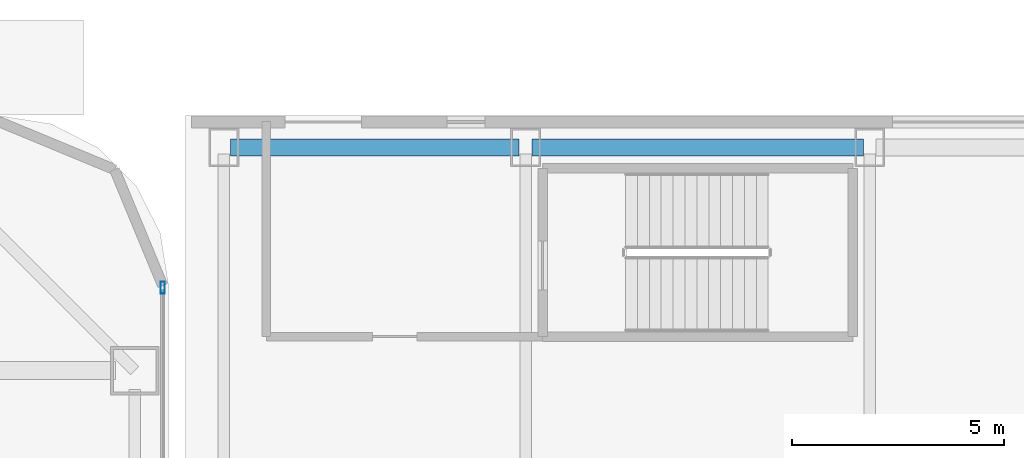
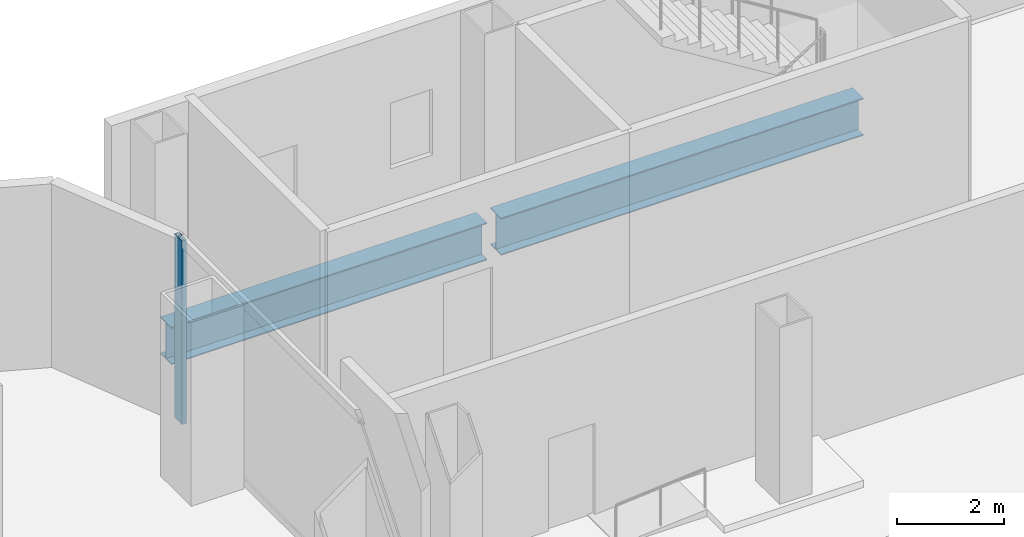
# One storey, part 15 of 31: 2 beams, 1 member, 1 element without a shape of its own.
"""IFC4 building model written with IfcOpenShell, lengths in metres."""

from ifc_helpers import new_model, si_unit, direction, frame, origin, origin_2d, place, context, subcontext, project, spatial, hollow_rectangle, i_section, extrude, source, transform, mapped, material, layer, layer_set, material_profile, profile_set, type_object, element, aggregate, save


model = new_model("IFC4")

# Units and contexts
model_context = context("Model", 3, precision=1e-05, world=origin(), true_north=direction((0.0, 1.0)))
body_context = subcontext(model_context, "Body", "Model", "MODEL_VIEW")
ifc_project = project(units=[si_unit("LENGTHUNIT", "METRE"), si_unit("AREAUNIT", "SQUARE_METRE"), si_unit("VOLUMEUNIT", "CUBIC_METRE"), si_unit("PLANEANGLEUNIT", "RADIAN"), si_unit("MASSUNIT", "GRAM", prefix="KILO")], contexts=[model_context])

# Site, building, storey
site_placement = place(None, origin())
site = spatial("IfcSite", under=ifc_project, at=site_placement, CompositionType="ELEMENT")
building_placement = place(site_placement, origin())
building = spatial("IfcBuilding", under=site, at=building_placement, Name="Kolveth Station Tower", CompositionType="ELEMENT")
storey_placement = place(building_placement, origin())
storey = spatial("IfcBuildingStorey", under=building, at=storey_placement, Name="L00", CompositionType="ELEMENT", Elevation=0.0)

# Beams
ifc_material_1 = material(Name="Steel S355", Category="steel")
ifc_material_profile_1 = material_profile(ifc_material_1, i_section(OverallWidth=0.40087890625, OverallDepth=0.85107421875, WebThickness=0.01611328125, FlangeThickness=0.025390625, at=origin_2d()), Name="W840x226")
ifc_profile_set_1 = profile_set([ifc_material_profile_1], Name="Steel S355")
beam_type = type_object("IfcBeamType", Name="Beam_B2", PredefinedType="BEAM", material=ifc_profile_set_1)
shared_shape_1 = source(origin(), body_context, "Body", "SweptSolid", [
    extrude(i_section(OverallWidth=0.40087890625, OverallDepth=0.85107421875, WebThickness=0.01611328125, FlangeThickness=0.025390625, at=origin_2d()), origin(), (0.0, 0.0, 1.0), 6.800048828125),
])
beam_1_placement = place(storey_placement, frame((48.449951171875, 39.75, -0.74560546875), z_axis=(1.0, 0.0, 0.0), x_axis=(0.0, 1.0, 0.0)))
element("IfcBeam", 1, at=beam_1_placement, inside=storey, type_object=beam_type, Name="L00 Station Portal Girder SBM-L00-EW-6-1", PredefinedType="BEAM", context=body_context, shape_type="MappedRepresentation", body=[
    mapped(shared_shape_1, transform((0.0, 0.0, 0.0), x_axis=(1.0, 0.0, 0.0), y_axis=(0.0, 1.0, 0.0), z_axis=(0.0, 0.0, 1.0), scale=1.0)),
])
shared_shape_2 = source(origin(), body_context, "Body", "SweptSolid", [
    extrude(i_section(OverallWidth=0.40087890625, OverallDepth=0.85107421875, WebThickness=0.01611328125, FlangeThickness=0.025390625, at=origin_2d()), origin(), (0.0, 0.0, 1.0), 7.800048828125),
])
beam_2_placement = place(storey_placement, frame((55.550048828125, 39.75, -0.74560546875), z_axis=(1.0, 0.0, 0.0), x_axis=(0.0, 1.0, 0.0)))
element("IfcBeam", 2, at=beam_2_placement, inside=storey, type_object=beam_type, Name="L00 Station Portal Girder SBM-L00-EW-6-2", PredefinedType="BEAM", context=body_context, shape_type="MappedRepresentation", body=[
    mapped(shared_shape_2, transform((0.0, 0.0, 0.0), x_axis=(1.0, 0.0, 0.0), y_axis=(0.0, 1.0, 0.0), z_axis=(0.0, 0.0, 1.0), scale=1.0)),
])

# Curtain wall, member
ifc_material_2 = material(Name="Black anodized aluminium 6063-T6 and clear station glass", Category="aluminium")
ifc_layer = layer(ifc_material_2, 0.239990234375)
ifc_layer_set = layer_set([ifc_layer], Name="Black anodized aluminium 6063-T6 and clear station glass")
curtain_wall_type = type_object("IfcCurtainWallType", Name="CurtainWall_CW-ST", PredefinedType="NOTDEFINED", material=ifc_layer_set)
curtain_wall_placement = place(storey_placement, origin())
curtain_wall = element("IfcCurtainWall", 3, at=curtain_wall_placement, inside=storey, type_object=curtain_wall_type, Name="L00 Tower Podium East Storefront Curtain Wall", PredefinedType="NOTDEFINED")
ifc_material_3 = material(Name="Black anodized aluminium 6063-T6", Category="aluminium")
ifc_material_profile_2 = material_profile(ifc_material_3, hollow_rectangle(XDim=0.10009765625, YDim=0.280029296875, WallThickness=0.0048828125, at=origin_2d()), Name="ALU-100x280x5")
ifc_profile_set_2 = profile_set([ifc_material_profile_2], Name="Black anodized aluminium 6063-T6")
member_type = type_object("IfcMemberType", Name="Mullion_ML-ST", PredefinedType="MULLION", material=ifc_profile_set_2)
shared_shape_3 = source(origin(), body_context, "Body", "SweptSolid", [
    extrude(hollow_rectangle(XDim=0.10009765625, YDim=0.280029296875, WallThickness=0.0048828125, at=origin_2d()), origin(), (0.0, 0.0, 1.0), 4.179931640625),
])
member_placement = place(storey_placement, frame((46.860107421875, 36.449951171875, 0.0), z_axis=(0.0, 0.0, 1.0), x_axis=(-1.0, 0.0, 0.0)))
member = element("IfcMember", 4, at=member_placement, type_object=member_type, Name="CW-ST mullion 3", PredefinedType="MULLION", context=body_context, shape_type="MappedRepresentation", body=[
    mapped(shared_shape_3, transform((0.0, 0.0, 0.0), x_axis=(1.0, 0.0, 0.0), y_axis=(0.0, 1.0, 0.0), z_axis=(0.0, 0.0, 1.0), scale=1.0)),
])
aggregate(curtain_wall, [member])

save(model, "model.ifc")
